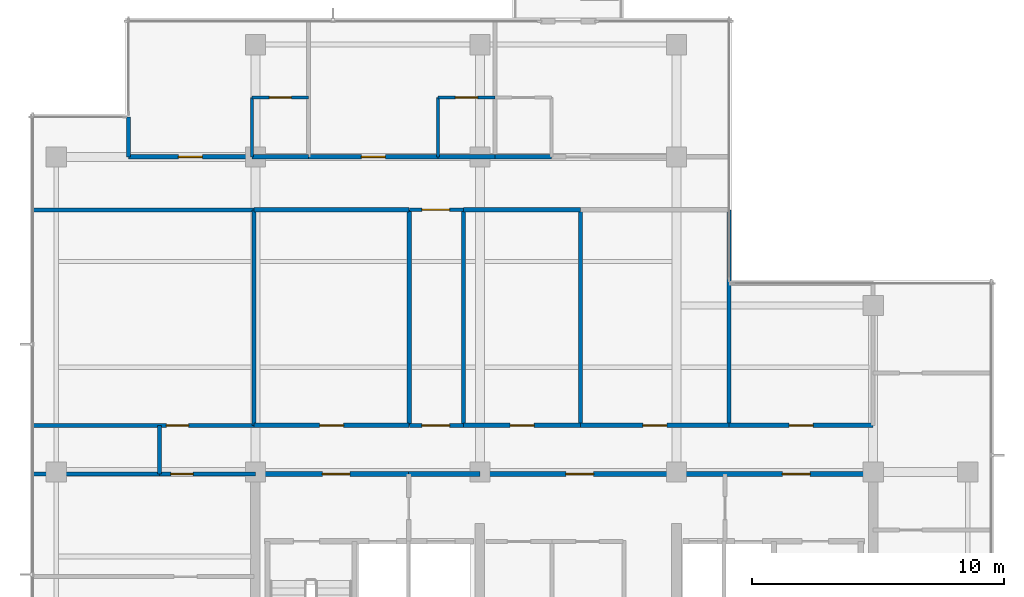
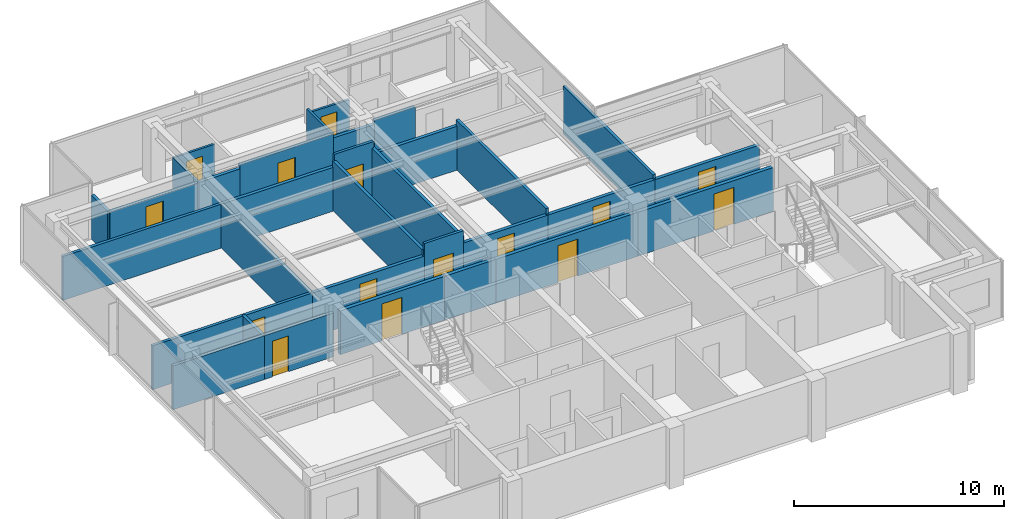
# One storey, part 7 of 11: 32 walls, 15 doors, 15 openings.
"""IFC4 building model written with IfcOpenShell, lengths in metres."""

from ifc_helpers import new_model, si_unit, direction, frame, frame_2d, origin, place, context, subcontext, project, spatial, rectangle, extrude, material, layer, layer_set, type_object, element, fill, save


model = new_model("IFC4")

# Units and contexts
model_context = context("Model", 3, precision=1e-05, world=origin(), true_north=direction((0.0, 1.0)))
body_context = subcontext(model_context, "Body", "Model", "MODEL_VIEW")
ifc_project = project(units=[si_unit("LENGTHUNIT", "METRE"), si_unit("AREAUNIT", "SQUARE_METRE"), si_unit("VOLUMEUNIT", "CUBIC_METRE"), si_unit("PLANEANGLEUNIT", "RADIAN"), si_unit("MASSUNIT", "GRAM", prefix="KILO")], contexts=[model_context])

# Site, building, storey
site_placement = place(None, origin())
site = spatial("IfcSite", under=ifc_project, at=site_placement, CompositionType="ELEMENT")
building_placement = place(site_placement, origin())
building = spatial("IfcBuilding", under=site, at=building_placement, Name="Qalmaran Belvedere Hotel", CompositionType="ELEMENT")
storey_placement = place(building_placement, frame((0.0, 0.0, 270.39990234375)))
storey = spatial("IfcBuildingStorey", under=building, at=storey_placement, Name="L70", CompositionType="ELEMENT", Elevation=270.39990234375)

# Wall, opening, door
ifc_material_1 = material(Name="Moisture-Resistant Gypsum")
ifc_layer_1 = layer(ifc_material_1, 0.1201171875, Name="Moisture-Resistant Gypsum")
ifc_layer_set_1 = layer_set([ifc_layer_1], Name="Moisture-Resistant Gypsum")
wall_type_1 = type_object("IfcWallType", Name="WL-INT-120-BATH", PredefinedType="PARTITIONING", material=ifc_layer_set_1)
wall_1_placement = place(storey_placement, frame((20.1630859375, 35.35009765625, 0.0), z_axis=(0.0, 0.0, 1.0), x_axis=(1.0, 0.0, 0.0)))
wall_1 = element("IfcWall", 1, at=wall_1_placement, inside=storey, type_object=wall_type_1, Name="L70 Partition WL-L70-NBN00", PredefinedType="PARTITIONING", context=body_context, shape_type="SweptSolid", body=[
    extrude(rectangle(XDim=2.25, YDim=0.1201171875, at=frame_2d((1.125, 0.0))), origin(), (0.0, 0.0, 1.0), 2.550048828125),
])
opening_1_placement = place(wall_1_placement, frame((1.56494140625, 0.0, 0.0), z_axis=(0.0, 0.0, 1.0), x_axis=(-1.0, 0.0, 0.0)))
opening_1 = element("IfcOpeningElement", 2, at=opening_1_placement, cuts=wall_1, Name="Opening D-BATH", PredefinedType="OPENING", context=body_context, shape_type="SweptSolid", body=[
    extrude(rectangle(XDim=0.8798828125, YDim=2.080078125, at=frame_2d((0.43994140625, 1.0400390625))), frame((0.0, 0.070068359375, 0.0), z_axis=(0.0, -1.0, 0.0), x_axis=(1.0, 0.0, 0.0)), (0.0, 0.0, 1.0), 0.14013671875),
])
ifc_material_2 = material(Name="Engineered Oak Veneer")
door_type_1 = type_object("IfcDoorType", Name="DR-INT-BATH-880X2080", OperationType="NOTDEFINED", PredefinedType="DOOR", material=ifc_material_2)
door_1_placement = place(opening_1_placement, origin())
door_1 = element("IfcDoor", 3, at=door_1_placement, inside=storey, type_object=door_type_1, Name="L70 Ensuite Bathroom Door N01", OperationType="SINGLE_SWING_RIGHT", OverallHeight=2.080078125, OverallWidth=0.8798828125, PredefinedType="DOOR", context=body_context, shape_type="SweptSolid", body=[
    extrude(rectangle(XDim=0.8798828125, YDim=2.080078125, at=frame_2d((0.43994140625, 1.0400390625))), frame((0.0, 0.02490234375, 0.0), z_axis=(0.0, -1.0, 0.0), x_axis=(1.0, 0.0, 0.0)), (0.0, 0.0, 1.0), 0.050048828125),
])
fill(opening_1, door_1)

# Wall
wall_2_placement = place(storey_placement, frame((20.1630859375, 33.0, 0.0), z_axis=(0.0, 0.0, 1.0), x_axis=(0.0, 1.0, 0.0)))
element("IfcWall", 4, at=wall_2_placement, inside=storey, type_object=wall_type_1, Name="L70 Partition WL-L70-NBS00", PredefinedType="PARTITIONING", context=body_context, shape_type="SweptSolid", body=[
    extrude(rectangle(XDim=2.35009765625, YDim=0.1201171875, at=frame_2d((1.175048828125, 0.0))), origin(), (0.0, 0.0, 1.0), 2.550048828125),
])

# Wall, opening, door
wall_3_placement = place(storey_placement, frame((27.544189453125, 35.35009765625, 0.0), z_axis=(0.0, 0.0, 1.0), x_axis=(1.0, 0.0, 0.0)))
wall_3 = element("IfcWall", 5, at=wall_3_placement, inside=storey, type_object=wall_type_1, Name="L70 Partition WL-L70-NBN01", PredefinedType="PARTITIONING", context=body_context, shape_type="SweptSolid", body=[
    extrude(rectangle(XDim=2.25, YDim=0.1201171875, at=frame_2d((1.125, 0.0))), origin(), (0.0, 0.0, 1.0), 2.550048828125),
])
opening_2_placement = place(wall_3_placement, frame((1.56494140625, 0.0, 0.0), z_axis=(0.0, 0.0, 1.0), x_axis=(-1.0, 0.0, 0.0)))
opening_2 = element("IfcOpeningElement", 6, at=opening_2_placement, cuts=wall_3, Name="Opening D-BATH", PredefinedType="OPENING", context=body_context, shape_type="SweptSolid", body=[
    extrude(rectangle(XDim=0.8798828125, YDim=2.080078125, at=frame_2d((0.43994140625, 1.0400390625))), frame((0.0, 0.070068359375, 0.0), z_axis=(0.0, -1.0, 0.0), x_axis=(1.0, 0.0, 0.0)), (0.0, 0.0, 1.0), 0.14013671875),
])
door_2_placement = place(opening_2_placement, origin())
door_2 = element("IfcDoor", 7, at=door_2_placement, inside=storey, type_object=door_type_1, Name="L70 Ensuite Bathroom Door N02", OperationType="SINGLE_SWING_RIGHT", OverallHeight=2.080078125, OverallWidth=0.8798828125, PredefinedType="DOOR", context=body_context, shape_type="SweptSolid", body=[
    extrude(rectangle(XDim=0.8798828125, YDim=2.080078125, at=frame_2d((0.43994140625, 1.0400390625))), frame((0.0, 0.02490234375, 0.0), z_axis=(0.0, -1.0, 0.0), x_axis=(1.0, 0.0, 0.0)), (0.0, 0.0, 1.0), 0.050048828125),
])
fill(opening_2, door_2)

# Wall
wall_4_placement = place(storey_placement, frame((27.544189453125, 33.0, 0.0), z_axis=(0.0, 0.0, 1.0), x_axis=(0.0, 1.0, 0.0)))
element("IfcWall", 8, at=wall_4_placement, inside=storey, type_object=wall_type_1, Name="L70 Partition WL-L70-NBS01", PredefinedType="PARTITIONING", context=body_context, shape_type="SweptSolid", body=[
    extrude(rectangle(XDim=2.35009765625, YDim=0.1201171875, at=frame_2d((1.175048828125, 0.0))), origin(), (0.0, 0.0, 1.0), 2.781982421875),
])

# Wall, opening, door
ifc_material_3 = material(Name="Gypsum Stud Partition")
ifc_layer_2 = layer(ifc_material_3, 0.14990234375, Name="Gypsum Stud Partition")
ifc_layer_set_2 = layer_set([ifc_layer_2], Name="Gypsum Stud Partition")
wall_type_2 = type_object("IfcWallType", Name="WL-INT-150-EI60", PredefinedType="PARTITIONING", material=ifc_layer_set_2)
wall_5_placement = place(storey_placement, frame((26.39990234375, 22.35009765625, 0.0), z_axis=(0.0, 0.0, 1.0), x_axis=(1.0, 0.0, 0.0)))
wall_5 = element("IfcWall", 9, at=wall_5_placement, inside=storey, type_object=wall_type_2, Name="L70 Partition WL-L70-XCLS", PredefinedType="PARTITIONING", context=body_context, shape_type="SweptSolid", body=[
    extrude(rectangle(XDim=2.150146484375, YDim=0.14990234375, at=frame_2d((1.0751953125, 0.0))), origin(), (0.0, 0.0, 1.0), 3.260009765625),
])
opening_3_placement = place(wall_5_placement, frame((0.5, 0.0, 0.0)))
opening_3 = element("IfcOpeningElement", 10, at=opening_3_placement, cuts=wall_5, Name="Opening FD90", PredefinedType="OPENING", context=body_context, shape_type="SweptSolid", body=[
    extrude(rectangle(XDim=1.10009765625, YDim=2.14990234375, at=frame_2d((0.550048828125, 1.074951171875))), frame((0.0, 0.0849609375, 0.0), z_axis=(0.0, -1.0, 0.0), x_axis=(1.0, 0.0, 0.0)), (0.0, 0.0, 1.0), 0.169921875),
])
ifc_material_4 = material(Name="Steel S355JR", Category="steel")
door_type_2 = type_object("IfcDoorType", Name="DR-FD90-1100X2150", OperationType="NOTDEFINED", PredefinedType="DOOR", material=ifc_material_4)
door_3_placement = place(opening_3_placement, origin())
door_3 = element("IfcDoor", 11, at=door_3_placement, inside=storey, type_object=door_type_2, Name="L70 Sky Link South Door", OperationType="SINGLE_SWING_LEFT", OverallHeight=2.14990234375, OverallWidth=1.10009765625, PredefinedType="DOOR", context=body_context, shape_type="SweptSolid", body=[
    extrude(rectangle(XDim=1.10009765625, YDim=2.14990234375, at=frame_2d((0.550048828125, 1.074951171875))), frame((0.0, 0.02490234375, 0.0), z_axis=(0.0, -1.0, 0.0), x_axis=(1.0, 0.0, 0.0)), (0.0, 0.0, 1.0), 0.050048828125),
])
fill(opening_3, door_3)

wall_6_placement = place(storey_placement, frame((26.39990234375, 30.89990234375, 0.0), z_axis=(0.0, 0.0, 1.0), x_axis=(1.0, 0.0, 0.0)))
wall_6 = element("IfcWall", 12, at=wall_6_placement, inside=storey, type_object=wall_type_2, Name="L70 Partition WL-L70-XCLN", PredefinedType="PARTITIONING", context=body_context, shape_type="SweptSolid", body=[
    extrude(rectangle(XDim=2.150146484375, YDim=0.14990234375, at=frame_2d((1.0751953125, 0.0))), origin(), (0.0, 0.0, 1.0), 3.260009765625),
])
opening_4_placement = place(wall_6_placement, frame((0.5, 0.0, 0.0)))
opening_4 = element("IfcOpeningElement", 13, at=opening_4_placement, cuts=wall_6, Name="Opening FD90", PredefinedType="OPENING", context=body_context, shape_type="SweptSolid", body=[
    extrude(rectangle(XDim=1.10009765625, YDim=2.14990234375, at=frame_2d((0.550048828125, 1.074951171875))), frame((0.0, 0.0849609375, 0.0), z_axis=(0.0, -1.0, 0.0), x_axis=(1.0, 0.0, 0.0)), (0.0, 0.0, 1.0), 0.169921875),
])
door_4_placement = place(opening_4_placement, origin())
door_4 = element("IfcDoor", 14, at=door_4_placement, inside=storey, type_object=door_type_2, Name="L70 Sky Link North Door", OperationType="SINGLE_SWING_RIGHT", OverallHeight=2.14990234375, OverallWidth=1.10009765625, PredefinedType="DOOR", context=body_context, shape_type="SweptSolid", body=[
    extrude(rectangle(XDim=1.10009765625, YDim=2.14990234375, at=frame_2d((0.550048828125, 1.074951171875))), frame((0.0, 0.02490234375, 0.0), z_axis=(0.0, -1.0, 0.0), x_axis=(1.0, 0.0, 0.0)), (0.0, 0.0, 1.0), 0.050048828125),
])
fill(opening_4, door_4)

# Wall
ifc_layer_3 = layer(ifc_material_3, 0.159912109375, Name="Gypsum Stud Partition")
ifc_layer_set_3 = layer_set([ifc_layer_3], Name="Gypsum Stud Partition")
wall_type_3 = type_object("IfcWallType", Name="WL-INT-160-EI60", PredefinedType="PARTITIONING", material=ifc_layer_set_3)
wall_7_placement = place(storey_placement, frame((11.469970703125, 20.419921875, 0.0), z_axis=(0.0, 0.0, 1.0), x_axis=(1.0, 0.0, 0.0)))
element("IfcWall", 15, at=wall_7_placement, inside=storey, type_object=wall_type_3, Name="L70 Partition WL-L70-C4WS1", PredefinedType="PARTITIONING", context=body_context, shape_type="SweptSolid", body=[
    extrude(rectangle(XDim=5.030029296875, YDim=0.159912109375, at=frame_2d((2.51513671875, 0.0))), origin(), (0.0, 0.0, 1.0), 2.550048828125),
])

# Wall, opening, door
wall_8_placement = place(storey_placement, frame((16.5, 20.419921875, 0.0), z_axis=(0.0, 0.0, 1.0), x_axis=(1.0, 0.0, 0.0)))
wall_8 = element("IfcWall", 16, at=wall_8_placement, inside=storey, type_object=wall_type_3, Name="L70 Partition WL-L70-C4WS2", PredefinedType="PARTITIONING", context=body_context, shape_type="SweptSolid", body=[
    extrude(rectangle(XDim=3.800048828125, YDim=0.159912109375, at=frame_2d((1.89990234375, 0.0))), origin(), (0.0, 0.0, 1.0), 2.550048828125),
])
opening_5_placement = place(wall_8_placement, frame((1.329833984375, 0.0, 0.0), z_axis=(0.0, 0.0, 1.0), x_axis=(-1.0, 0.0, 0.0)))
opening_5 = element("IfcOpeningElement", 17, at=opening_5_placement, cuts=wall_8, Name="Opening FD60B", PredefinedType="OPENING", context=body_context, shape_type="SweptSolid", body=[
    extrude(rectangle(XDim=0.8798828125, YDim=2.080078125, at=frame_2d((0.43994140625, 1.0400390625))), frame((0.0, 0.08984375, 0.0), z_axis=(0.0, -1.0, 0.0), x_axis=(1.0, 0.0, 0.0)), (0.0, 0.0, 1.0), 0.179931640625),
])
door_type_3 = type_object("IfcDoorType", Name="DR-FD60B-880X2080", OperationType="NOTDEFINED", PredefinedType="DOOR", material=ifc_material_4)
door_5_placement = place(opening_5_placement, origin())
door_5 = element("IfcDoor", 18, at=door_5_placement, inside=storey, type_object=door_type_3, Name="L70 West Salon Door", OperationType="SINGLE_SWING_RIGHT", OverallHeight=2.080078125, OverallWidth=0.8798828125, PredefinedType="DOOR", context=body_context, shape_type="SweptSolid", body=[
    extrude(rectangle(XDim=0.8798828125, YDim=2.080078125, at=frame_2d((0.43994140625, 1.0400390625))), frame((0.0, 0.02490234375, 0.0), z_axis=(0.0, -1.0, 0.0), x_axis=(1.0, 0.0, 0.0)), (0.0, 0.0, 1.0), 0.050048828125),
])
fill(opening_5, door_5)

# Wall
wall_9_placement = place(storey_placement, frame((16.5, 20.419921875, 0.0), z_axis=(0.0, 0.0, 1.0), x_axis=(0.0, 1.0, 0.0)))
element("IfcWall", 19, at=wall_9_placement, inside=storey, type_object=wall_type_3, Name="L70 Partition WL-L70-C4WW", PredefinedType="PARTITIONING", context=body_context, shape_type="SweptSolid", body=[
    extrude(rectangle(XDim=1.93017578125, YDim=0.159912109375, at=frame_2d((0.965087890625, 0.0))), origin(), (0.0, 0.0, 1.0), 2.550048828125),
])

# Wall, opening, door
wall_10_placement = place(storey_placement, frame((11.469970703125, 22.35009765625, 0.0), z_axis=(0.0, 0.0, 1.0), x_axis=(1.0, 0.0, 0.0)))
wall_10 = element("IfcWall", 20, at=wall_10_placement, inside=storey, type_object=wall_type_3, Name="L70 Partition WL-L70-C4WN0", PredefinedType="PARTITIONING", context=body_context, shape_type="SweptSolid", body=[
    extrude(rectangle(XDim=8.780029296875, YDim=0.159912109375, at=frame_2d((4.39013671875, 0.0))), origin(), (0.0, 0.0, 1.0), 2.550048828125),
])
opening_6_placement = place(wall_10_placement, frame((5.300048828125, 0.0, 0.0)))
opening_6 = element("IfcOpeningElement", 21, at=opening_6_placement, cuts=wall_10, Name="Opening FD60B", PredefinedType="OPENING", context=body_context, shape_type="SweptSolid", body=[
    extrude(rectangle(XDim=0.8798828125, YDim=2.080078125, at=frame_2d((0.43994140625, 1.0400390625))), frame((0.0, 0.08984375, 0.0), z_axis=(0.0, -1.0, 0.0), x_axis=(1.0, 0.0, 0.0)), (0.0, 0.0, 1.0), 0.179931640625),
])
door_6_placement = place(opening_6_placement, origin())
door_6 = element("IfcDoor", 22, at=door_6_placement, inside=storey, type_object=door_type_3, Name="L70 NW Salon Door", OperationType="SINGLE_SWING_LEFT", OverallHeight=2.080078125, OverallWidth=0.8798828125, PredefinedType="DOOR", context=body_context, shape_type="SweptSolid", body=[
    extrude(rectangle(XDim=0.8798828125, YDim=2.080078125, at=frame_2d((0.43994140625, 1.0400390625))), frame((0.0, 0.02490234375, 0.0), z_axis=(0.0, -1.0, 0.0), x_axis=(1.0, 0.0, 0.0)), (0.0, 0.0, 1.0), 0.050048828125),
])
fill(opening_6, door_6)

# Walls
wall_11_placement = place(storey_placement, frame((11.469970703125, 30.89990234375, 0.0), z_axis=(0.0, 0.0, 1.0), x_axis=(1.0, 0.0, 0.0)))
element("IfcWall", 23, at=wall_11_placement, inside=storey, type_object=wall_type_3, Name="L70 Partition WL-L70-C4WN1", PredefinedType="PARTITIONING", context=body_context, shape_type="SweptSolid", body=[
    extrude(rectangle(XDim=8.780029296875, YDim=0.159912109375, at=frame_2d((4.39013671875, 0.0))), origin(), (0.0, 0.0, 1.0), 2.550048828125),
])
wall_12_placement = place(storey_placement, frame((20.25, 22.35009765625, 0.0), z_axis=(0.0, 0.0, 1.0), x_axis=(0.0, 1.0, 0.0)))
element("IfcWall", 24, at=wall_12_placement, inside=storey, type_object=wall_type_3, Name="L70 Partition WL-L70-C4MWVL", PredefinedType="PARTITIONING", context=body_context, shape_type="SweptSolid", body=[
    extrude(rectangle(XDim=8.5498046875, YDim=0.159912109375, at=frame_2d((4.27490234375, 0.0))), origin(), (0.0, 0.0, 1.0), 2.550048828125),
])
for number, where, z_axis, x_axis, name in (
    (25, (26.39990234375, 22.35009765625, 0.0), (0.0, 0.0, 1.0), (0.0, 1.0, 0.0), "L70 Partition WL-L70-C4MWVR1"),
    (26, (28.550048828125, 22.35009765625, 0.0), (0.0, 0.0, 1.0), (0.0, 1.0, 0.0), "L70 Partition WL-L70-C4MEVL"),
    (27, (33.199951171875, 22.35009765625, 0.0), (0.0, 0.0, 1.0), (0.0, 1.0, 0.0), "L70 Partition WL-L70-C4MEVR1"),
):
    element("IfcWall", number, at=place(storey_placement, frame(where, z_axis=z_axis, x_axis=x_axis)), inside=storey, type_object=wall_type_3, Name=name, PredefinedType="PARTITIONING", context=body_context, shape_type="SweptSolid", body=[
        extrude(rectangle(XDim=8.5498046875, YDim=0.159912109375, at=frame_2d((4.27490234375, 0.0))), origin(), (0.0, 0.0, 1.0), 2.88720703125),
    ])
wall_13_placement = place(storey_placement, frame((39.080078125, 22.35009765625, 0.0), z_axis=(0.0, 0.0, 1.0), x_axis=(0.0, 1.0, 0.0)))
element("IfcWall", 28, at=wall_13_placement, inside=storey, type_object=wall_type_3, Name="L70 Partition WL-L70-C4MEVR2", PredefinedType="PARTITIONING", context=body_context, shape_type="SweptSolid", body=[
    extrude(rectangle(XDim=8.5498046875, YDim=0.159912109375, at=frame_2d((4.27490234375, 0.0))), origin(), (0.0, 0.0, 1.0), 2.781982421875),
])
wall_14_placement = place(storey_placement, frame((15.27001953125, 33.0, 0.0), z_axis=(0.0, 0.0, 1.0), x_axis=(0.0, 1.0, 0.0)))
element("IfcWall", 29, at=wall_14_placement, inside=storey, type_object=wall_type_3, Name="L70 Partition WL-L70-NUL", PredefinedType="PARTITIONING", context=body_context, shape_type="SweptSolid", body=[
    extrude(rectangle(XDim=1.580078125, YDim=0.159912109375, at=frame_2d((0.7900390625, 0.0))), origin(), (0.0, 0.0, 1.0), 2.550048828125),
])

# Wall, opening, door
ifc_layer_4 = layer(ifc_material_3, 0.179931640625, Name="Gypsum Stud Partition")
ifc_layer_set_4 = layer_set([ifc_layer_4], Name="Gypsum Stud Partition")
wall_type_4 = type_object("IfcWallType", Name="WL-INT-180-EI60", PredefinedType="PARTITIONING", material=ifc_layer_set_4)
wall_15_placement = place(storey_placement, frame((20.25, 22.35009765625, 0.0), z_axis=(0.0, 0.0, 1.0), x_axis=(1.0, 0.0, 0.0)))
wall_15 = element("IfcWall", 30, at=wall_15_placement, inside=storey, type_object=wall_type_4, Name="L70 Partition WL-L70-C4MWD1", PredefinedType="PARTITIONING", context=body_context, shape_type="SweptSolid", body=[
    extrude(rectangle(XDim=6.14990234375, YDim=0.179931640625, at=frame_2d((3.074951171875, 0.0))), origin(), (0.0, 0.0, 1.0), 2.550048828125),
])
opening_7_placement = place(wall_15_placement, frame((2.60009765625, 0.0, 0.0)))
opening_7 = element("IfcOpeningElement", 31, at=opening_7_placement, cuts=wall_15, Name="Opening FD60", PredefinedType="OPENING", context=body_context, shape_type="SweptSolid", body=[
    extrude(rectangle(XDim=0.949951171875, YDim=2.14990234375, at=frame_2d((0.47509765625, 1.074951171875))), frame((0.0, 0.10009765625, 0.0), z_axis=(0.0, -1.0, 0.0), x_axis=(1.0, 0.0, 0.0)), (0.0, 0.0, 1.0), 0.199951171875),
])
door_type_4 = type_object("IfcDoorType", Name="DR-FD60-950X2150", OperationType="NOTDEFINED", PredefinedType="DOOR", material=ifc_material_2)
door_7_placement = place(opening_7_placement, origin())
door_7 = element("IfcDoor", 32, at=door_7_placement, inside=storey, type_object=door_type_4, Name="L70 Housekeeping and Linen Room Door", OperationType="SINGLE_SWING_RIGHT", OverallHeight=2.14990234375, OverallWidth=0.949951171875, PredefinedType="DOOR", context=body_context, shape_type="SweptSolid", body=[
    extrude(rectangle(XDim=0.949951171875, YDim=2.14990234375, at=frame_2d((0.47509765625, 1.074951171875))), frame((0.0, 0.02490234375, 0.0), z_axis=(0.0, -1.0, 0.0), x_axis=(1.0, 0.0, 0.0)), (0.0, 0.0, 1.0), 0.050048828125),
])
fill(opening_7, door_7)

# Wall
wall_16_placement = place(storey_placement, frame((20.25, 30.89990234375, 0.0), z_axis=(0.0, 0.0, 1.0), x_axis=(1.0, 0.0, 0.0)))
element("IfcWall", 33, at=wall_16_placement, inside=storey, type_object=wall_type_4, Name="L70 Partition WL-L70-C4MWO1", PredefinedType="PARTITIONING", context=body_context, shape_type="SweptSolid", body=[
    extrude(rectangle(XDim=6.14990234375, YDim=0.179931640625, at=frame_2d((3.074951171875, 0.0))), origin(), (0.0, 0.0, 1.0), 2.550048828125),
])

# Wall, opening, door
wall_17_placement = place(storey_placement, frame((28.550048828125, 22.35009765625, 0.0), z_axis=(0.0, 0.0, 1.0), x_axis=(1.0, 0.0, 0.0)))
wall_17 = element("IfcWall", 34, at=wall_17_placement, inside=storey, type_object=wall_type_4, Name="L70 Partition WL-L70-C4MED1", PredefinedType="PARTITIONING", context=body_context, shape_type="SweptSolid", body=[
    extrude(rectangle(XDim=4.64990234375, YDim=0.179931640625, at=frame_2d((2.324951171875, 0.0))), origin(), (0.0, 0.0, 1.0), 2.550048828125),
])
opening_8_placement = place(wall_17_placement, frame((1.85009765625, 0.0, 0.0)))
opening_8 = element("IfcOpeningElement", 35, at=opening_8_placement, cuts=wall_17, Name="Opening FD60", PredefinedType="OPENING", context=body_context, shape_type="SweptSolid", body=[
    extrude(rectangle(XDim=0.949951171875, YDim=2.14990234375, at=frame_2d((0.47509765625, 1.074951171875))), frame((0.0, 0.10009765625, 0.0), z_axis=(0.0, -1.0, 0.0), x_axis=(1.0, 0.0, 0.0)), (0.0, 0.0, 1.0), 0.199951171875),
])
door_8_placement = place(opening_8_placement, origin())
door_8 = element("IfcDoor", 36, at=door_8_placement, inside=storey, type_object=door_type_4, Name="L70 Drawing Lounge Door", OperationType="SINGLE_SWING_LEFT", OverallHeight=2.14990234375, OverallWidth=0.949951171875, PredefinedType="DOOR", context=body_context, shape_type="SweptSolid", body=[
    extrude(rectangle(XDim=0.949951171875, YDim=2.14990234375, at=frame_2d((0.47509765625, 1.074951171875))), frame((0.0, 0.02490234375, 0.0), z_axis=(0.0, -1.0, 0.0), x_axis=(1.0, 0.0, 0.0)), (0.0, 0.0, 1.0), 0.050048828125),
])
fill(opening_8, door_8)

# Wall
wall_18_placement = place(storey_placement, frame((28.550048828125, 30.89990234375, 0.0), z_axis=(0.0, 0.0, 1.0), x_axis=(1.0, 0.0, 0.0)))
element("IfcWall", 37, at=wall_18_placement, inside=storey, type_object=wall_type_4, Name="L70 Partition WL-L70-C4MEO1", PredefinedType="PARTITIONING", context=body_context, shape_type="SweptSolid", body=[
    extrude(rectangle(XDim=4.64990234375, YDim=0.179931640625, at=frame_2d((2.324951171875, 0.0))), origin(), (0.0, 0.0, 1.0), 2.550048828125),
])

# Wall, opening, door
wall_19_placement = place(storey_placement, frame((33.199951171875, 22.35009765625, 0.0), z_axis=(0.0, 0.0, 1.0), x_axis=(1.0, 0.0, 0.0)))
wall_19 = element("IfcWall", 38, at=wall_19_placement, inside=storey, type_object=wall_type_4, Name="L70 Partition WL-L70-C4MED2", PredefinedType="PARTITIONING", context=body_context, shape_type="SweptSolid", body=[
    extrude(rectangle(XDim=5.880126953125, YDim=0.179931640625, at=frame_2d((2.93994140625, 0.0))), origin(), (0.0, 0.0, 1.0), 2.550048828125),
])
opening_9_placement = place(wall_19_placement, frame((2.465087890625, 0.0, 0.0)))
opening_9 = element("IfcOpeningElement", 39, at=opening_9_placement, cuts=wall_19, Name="Opening FD60", PredefinedType="OPENING", context=body_context, shape_type="SweptSolid", body=[
    extrude(rectangle(XDim=0.949951171875, YDim=2.14990234375, at=frame_2d((0.47509765625, 1.074951171875))), frame((0.0, 0.10009765625, 0.0), z_axis=(0.0, -1.0, 0.0), x_axis=(1.0, 0.0, 0.0)), (0.0, 0.0, 1.0), 0.199951171875),
])
door_9_placement = place(opening_9_placement, origin())
door_9 = element("IfcDoor", 40, at=door_9_placement, inside=storey, type_object=door_type_4, Name="L70 Sitting Lounge Door", OperationType="SINGLE_SWING_RIGHT", OverallHeight=2.14990234375, OverallWidth=0.949951171875, PredefinedType="DOOR", context=body_context, shape_type="SweptSolid", body=[
    extrude(rectangle(XDim=0.949951171875, YDim=2.14990234375, at=frame_2d((0.47509765625, 1.074951171875))), frame((0.0, 0.02490234375, 0.0), z_axis=(0.0, -1.0, 0.0), x_axis=(1.0, 0.0, 0.0)), (0.0, 0.0, 1.0), 0.050048828125),
])
fill(opening_9, door_9)

wall_20_placement = place(storey_placement, frame((39.080078125, 22.35009765625, 0.0), z_axis=(0.0, 0.0, 1.0), x_axis=(1.0, 0.0, 0.0)))
wall_20 = element("IfcWall", 41, at=wall_20_placement, inside=storey, type_object=wall_type_4, Name="L70 Partition WL-L70-C4MFD1", PredefinedType="PARTITIONING", context=body_context, shape_type="SweptSolid", body=[
    extrude(rectangle(XDim=5.719970703125, YDim=0.179931640625, at=frame_2d((2.85986328125, 0.0))), origin(), (0.0, 0.0, 1.0), 2.550048828125),
])
opening_10_placement = place(wall_20_placement, frame((2.385009765625, 0.0, 0.0)))
opening_10 = element("IfcOpeningElement", 42, at=opening_10_placement, cuts=wall_20, Name="Opening FD60", PredefinedType="OPENING", context=body_context, shape_type="SweptSolid", body=[
    extrude(rectangle(XDim=0.949951171875, YDim=2.14990234375, at=frame_2d((0.47509765625, 1.074951171875))), frame((0.0, 0.10009765625, 0.0), z_axis=(0.0, -1.0, 0.0), x_axis=(1.0, 0.0, 0.0)), (0.0, 0.0, 1.0), 0.199951171875),
])
door_10_placement = place(opening_10_placement, origin())
door_10 = element("IfcDoor", 43, at=door_10_placement, inside=storey, type_object=door_type_4, Name="L70 Family Lounge Door", OperationType="SINGLE_SWING_LEFT", OverallHeight=2.14990234375, OverallWidth=0.949951171875, PredefinedType="DOOR", context=body_context, shape_type="SweptSolid", body=[
    extrude(rectangle(XDim=0.949951171875, YDim=2.14990234375, at=frame_2d((0.47509765625, 1.074951171875))), frame((0.0, 0.02490234375, 0.0), z_axis=(0.0, -1.0, 0.0), x_axis=(1.0, 0.0, 0.0)), (0.0, 0.0, 1.0), 0.050048828125),
])
fill(opening_10, door_10)

# Wall
wall_21_placement = place(storey_placement, frame((20.1630859375, 33.0, 0.0), z_axis=(0.0, 0.0, 1.0), x_axis=(1.0, 0.0, 0.0)))
element("IfcWall", 44, at=wall_21_placement, inside=storey, type_object=wall_type_4, Name="L70 Partition WL-L70-NBC00", PredefinedType="PARTITIONING", context=body_context, shape_type="SweptSolid", body=[
    extrude(rectangle(XDim=2.25, YDim=0.179931640625, at=frame_2d((1.125, 0.0))), origin(), (0.0, 0.0, 1.0), 2.550048828125),
])

# Wall, opening, door
wall_22_placement = place(storey_placement, frame((15.27001953125, 33.0, 0.0), z_axis=(0.0, 0.0, 1.0), x_axis=(1.0, 0.0, 0.0)))
wall_22 = element("IfcWall", 45, at=wall_22_placement, inside=storey, type_object=wall_type_4, Name="L70 Partition WL-L70-NEC00", PredefinedType="PARTITIONING", context=body_context, shape_type="SweptSolid", body=[
    extrude(rectangle(XDim=4.89306640625, YDim=0.179931640625, at=frame_2d((2.446533203125, 0.0))), origin(), (0.0, 0.0, 1.0), 2.550048828125),
])
opening_11_placement = place(wall_22_placement, frame((1.971435546875, 0.0, 0.0)))
opening_11 = element("IfcOpeningElement", 46, at=opening_11_placement, cuts=wall_22, Name="Opening FD60", PredefinedType="OPENING", context=body_context, shape_type="SweptSolid", body=[
    extrude(rectangle(XDim=0.949951171875, YDim=2.14990234375, at=frame_2d((0.47509765625, 1.074951171875))), frame((0.0, 0.10009765625, 0.0), z_axis=(0.0, -1.0, 0.0), x_axis=(1.0, 0.0, 0.0)), (0.0, 0.0, 1.0), 0.199951171875),
])
door_11_placement = place(opening_11_placement, origin())
door_11 = element("IfcDoor", 47, at=door_11_placement, inside=storey, type_object=door_type_4, Name="L70 Guest Entrance Door N01", OperationType="SINGLE_SWING_LEFT", OverallHeight=2.14990234375, OverallWidth=0.949951171875, PredefinedType="DOOR", context=body_context, shape_type="SweptSolid", body=[
    extrude(rectangle(XDim=0.949951171875, YDim=2.14990234375, at=frame_2d((0.47509765625, 1.074951171875))), frame((0.0, 0.02490234375, 0.0), z_axis=(0.0, -1.0, 0.0), x_axis=(1.0, 0.0, 0.0)), (0.0, 0.0, 1.0), 0.050048828125),
])
fill(opening_11, door_11)

# Wall
wall_23_placement = place(storey_placement, frame((27.544189453125, 33.0, 0.0), z_axis=(0.0, 0.0, 1.0), x_axis=(1.0, 0.0, 0.0)))
element("IfcWall", 48, at=wall_23_placement, inside=storey, type_object=wall_type_4, Name="L70 Partition WL-L70-NBC01", PredefinedType="PARTITIONING", context=body_context, shape_type="SweptSolid", body=[
    extrude(rectangle(XDim=2.25, YDim=0.179931640625, at=frame_2d((1.125, 0.0))), origin(), (0.0, 0.0, 1.0), 2.550048828125),
])

# Wall, opening, door
wall_24_placement = place(storey_placement, frame((22.4130859375, 33.0, 0.0), z_axis=(0.0, 0.0, 1.0), x_axis=(1.0, 0.0, 0.0)))
wall_24 = element("IfcWall", 49, at=wall_24_placement, inside=storey, type_object=wall_type_4, Name="L70 Partition WL-L70-NEC01", PredefinedType="PARTITIONING", context=body_context, shape_type="SweptSolid", body=[
    extrude(rectangle(XDim=5.131103515625, YDim=0.179931640625, at=frame_2d((2.5654296875, 0.0))), origin(), (0.0, 0.0, 1.0), 2.781982421875),
])
opening_12_placement = place(wall_24_placement, frame((2.090576171875, 0.0, 0.0)))
opening_12 = element("IfcOpeningElement", 50, at=opening_12_placement, cuts=wall_24, Name="Opening FD60", PredefinedType="OPENING", context=body_context, shape_type="SweptSolid", body=[
    extrude(rectangle(XDim=0.949951171875, YDim=2.14990234375, at=frame_2d((0.47509765625, 1.074951171875))), frame((0.0, 0.10009765625, 0.0), z_axis=(0.0, -1.0, 0.0), x_axis=(1.0, 0.0, 0.0)), (0.0, 0.0, 1.0), 0.199951171875),
])
door_12_placement = place(opening_12_placement, origin())
door_12 = element("IfcDoor", 51, at=door_12_placement, inside=storey, type_object=door_type_4, Name="L70 Guest Entrance Door N02", OperationType="SINGLE_SWING_LEFT", OverallHeight=2.14990234375, OverallWidth=0.949951171875, PredefinedType="DOOR", context=body_context, shape_type="SweptSolid", body=[
    extrude(rectangle(XDim=0.949951171875, YDim=2.14990234375, at=frame_2d((0.47509765625, 1.074951171875))), frame((0.0, 0.02490234375, 0.0), z_axis=(0.0, -1.0, 0.0), x_axis=(1.0, 0.0, 0.0)), (0.0, 0.0, 1.0), 0.050048828125),
])
fill(opening_12, door_12)

# Wall
wall_25_placement = place(storey_placement, frame((29.794189453125, 33.0, 0.0), z_axis=(0.0, 0.0, 1.0), x_axis=(1.0, 0.0, 0.0)))
element("IfcWall", 52, at=wall_25_placement, inside=storey, type_object=wall_type_4, Name="L70 Partition WL-L70-NBC02", PredefinedType="PARTITIONING", context=body_context, shape_type="SweptSolid", body=[
    extrude(rectangle(XDim=2.25, YDim=0.179931640625, at=frame_2d((1.125, 0.0))), origin(), (0.0, 0.0, 1.0), 2.781982421875),
])

# Wall, opening, door
ifc_material_5 = material(Name="Concrete C30/37 Blockwork", Category="masonry")
ifc_layer_5 = layer(ifc_material_5, 0.199951171875, Name="Concrete C30/37 Blockwork")
ifc_layer_set_5 = layer_set([ifc_layer_5], Name="Concrete C30/37 Blockwork")
wall_type_5 = type_object("IfcWallType", Name="WL-INT-200-EI120", PredefinedType="PARTITIONING", material=ifc_layer_set_5)
wall_26_placement = place(storey_placement, frame((20.64990234375, 20.419921875, 0.0), z_axis=(0.0, 0.0, 1.0), x_axis=(1.0, 0.0, 0.0)))
wall_26 = element("IfcWall", 53, at=wall_26_placement, inside=storey, type_object=wall_type_5, Name="L70 Partition WL-CN1A-L70", PredefinedType="PARTITIONING", context=body_context, shape_type="SweptSolid", body=[
    extrude(rectangle(XDim=5.72998046875, YDim=0.199951171875, at=frame_2d((2.864990234375, 0.0))), origin(), (0.0, 0.0, 1.0), 2.550048828125),
])
opening_13_placement = place(wall_26_placement, frame((2.300048828125, 0.0, 0.0)))
opening_13 = element("IfcOpeningElement", 54, at=opening_13_placement, cuts=wall_26, Name="Opening FD90", PredefinedType="OPENING", context=body_context, shape_type="SweptSolid", body=[
    extrude(rectangle(XDim=1.10009765625, YDim=2.14990234375, at=frame_2d((0.550048828125, 1.074951171875))), frame((0.0, 0.10986328125, 0.0), z_axis=(0.0, -1.0, 0.0), x_axis=(1.0, 0.0, 0.0)), (0.0, 0.0, 1.0), 0.219970703125),
])
door_13_placement = place(opening_13_placement, origin())
door_13 = element("IfcDoor", 55, at=door_13_placement, inside=storey, type_object=door_type_2, Name="L70 FF1 Lobby Corridor Door", OperationType="SINGLE_SWING_RIGHT", OverallHeight=2.14990234375, OverallWidth=1.10009765625, PredefinedType="DOOR", context=body_context, shape_type="SweptSolid", body=[
    extrude(rectangle(XDim=1.10009765625, YDim=2.14990234375, at=frame_2d((0.550048828125, 1.074951171875))), frame((0.0, 0.02490234375, 0.0), z_axis=(0.0, -1.0, 0.0), x_axis=(1.0, 0.0, 0.0)), (0.0, 0.0, 1.0), 0.050048828125),
])
fill(opening_13, door_13)

# Wall
wall_27_placement = place(storey_placement, frame((26.3798828125, 20.419921875, 0.0), z_axis=(0.0, 0.0, 1.0), x_axis=(1.0, 0.0, 0.0)))
element("IfcWall", 56, at=wall_27_placement, inside=storey, type_object=wall_type_5, Name="L70 Partition WL-CN1B-L70", PredefinedType="PARTITIONING", context=body_context, shape_type="SweptSolid", body=[
    extrude(rectangle(XDim=2.820068359375, YDim=0.199951171875, at=frame_2d((1.41015625, 0.0))), origin(), (0.0, 0.0, 1.0), 2.550048828125),
])

# Wall, opening, door
wall_28_placement = place(storey_placement, frame((29.199951171875, 20.419921875, 0.0), z_axis=(0.0, 0.0, 1.0), x_axis=(1.0, 0.0, 0.0)))
wall_28 = element("IfcWall", 57, at=wall_28_placement, inside=storey, type_object=wall_type_5, Name="L70 Partition WL-CN2-L70", PredefinedType="PARTITIONING", context=body_context, shape_type="SweptSolid", body=[
    extrude(rectangle(XDim=7.800048828125, YDim=0.199951171875, at=frame_2d((3.89990234375, 0.0))), origin(), (0.0, 0.0, 1.0), 2.550048828125),
])
opening_14_placement = place(wall_28_placement, frame((3.4091796875, 0.0, 0.0)))
opening_14 = element("IfcOpeningElement", 58, at=opening_14_placement, cuts=wall_28, Name="Opening FD90", PredefinedType="OPENING", context=body_context, shape_type="SweptSolid", body=[
    extrude(rectangle(XDim=1.10009765625, YDim=2.14990234375, at=frame_2d((0.550048828125, 1.074951171875))), frame((0.0, 0.10986328125, 0.0), z_axis=(0.0, -1.0, 0.0), x_axis=(1.0, 0.0, 0.0)), (0.0, 0.0, 1.0), 0.219970703125),
])
door_14_placement = place(opening_14_placement, origin())
door_14 = element("IfcDoor", 59, at=door_14_placement, inside=storey, type_object=door_type_2, Name="L70 Central Lift Lobby Door", OperationType="SINGLE_SWING_LEFT", OverallHeight=2.14990234375, OverallWidth=1.10009765625, PredefinedType="DOOR", context=body_context, shape_type="SweptSolid", body=[
    extrude(rectangle(XDim=1.10009765625, YDim=2.14990234375, at=frame_2d((0.550048828125, 1.074951171875))), frame((0.0, 0.02490234375, 0.0), z_axis=(0.0, -1.0, 0.0), x_axis=(1.0, 0.0, 0.0)), (0.0, 0.0, 1.0), 0.050048828125),
])
fill(opening_14, door_14)

wall_29_placement = place(storey_placement, frame((37.0, 20.419921875, 0.0), z_axis=(0.0, 0.0, 1.0), x_axis=(1.0, 0.0, 0.0)))
wall_29 = element("IfcWall", 60, at=wall_29_placement, inside=storey, type_object=wall_type_5, Name="L70 Partition WL-CN3-L70", PredefinedType="PARTITIONING", context=body_context, shape_type="SweptSolid", body=[
    extrude(rectangle(XDim=7.449951171875, YDim=0.199951171875, at=frame_2d((3.72509765625, 0.0))), origin(), (0.0, 0.0, 1.0), 2.550048828125),
])
opening_15_placement = place(wall_29_placement, frame((4.199951171875, 0.0, 0.0)))
opening_15 = element("IfcOpeningElement", 61, at=opening_15_placement, cuts=wall_29, Name="Opening FD90", PredefinedType="OPENING", context=body_context, shape_type="SweptSolid", body=[
    extrude(rectangle(XDim=1.10009765625, YDim=2.14990234375, at=frame_2d((0.550048828125, 1.074951171875))), frame((0.0, 0.10986328125, 0.0), z_axis=(0.0, -1.0, 0.0), x_axis=(1.0, 0.0, 0.0)), (0.0, 0.0, 1.0), 0.219970703125),
])
door_15_placement = place(opening_15_placement, origin())
door_15 = element("IfcDoor", 62, at=door_15_placement, inside=storey, type_object=door_type_2, Name="L70 FF2 Lobby Corridor Door", OperationType="SINGLE_SWING_RIGHT", OverallHeight=2.14990234375, OverallWidth=1.10009765625, PredefinedType="DOOR", context=body_context, shape_type="SweptSolid", body=[
    extrude(rectangle(XDim=1.10009765625, YDim=2.14990234375, at=frame_2d((0.550048828125, 1.074951171875))), frame((0.0, 0.02490234375, 0.0), z_axis=(0.0, -1.0, 0.0), x_axis=(1.0, 0.0, 0.0)), (0.0, 0.0, 1.0), 0.050048828125),
])
fill(opening_15, door_15)

save(model, "model.ifc")
